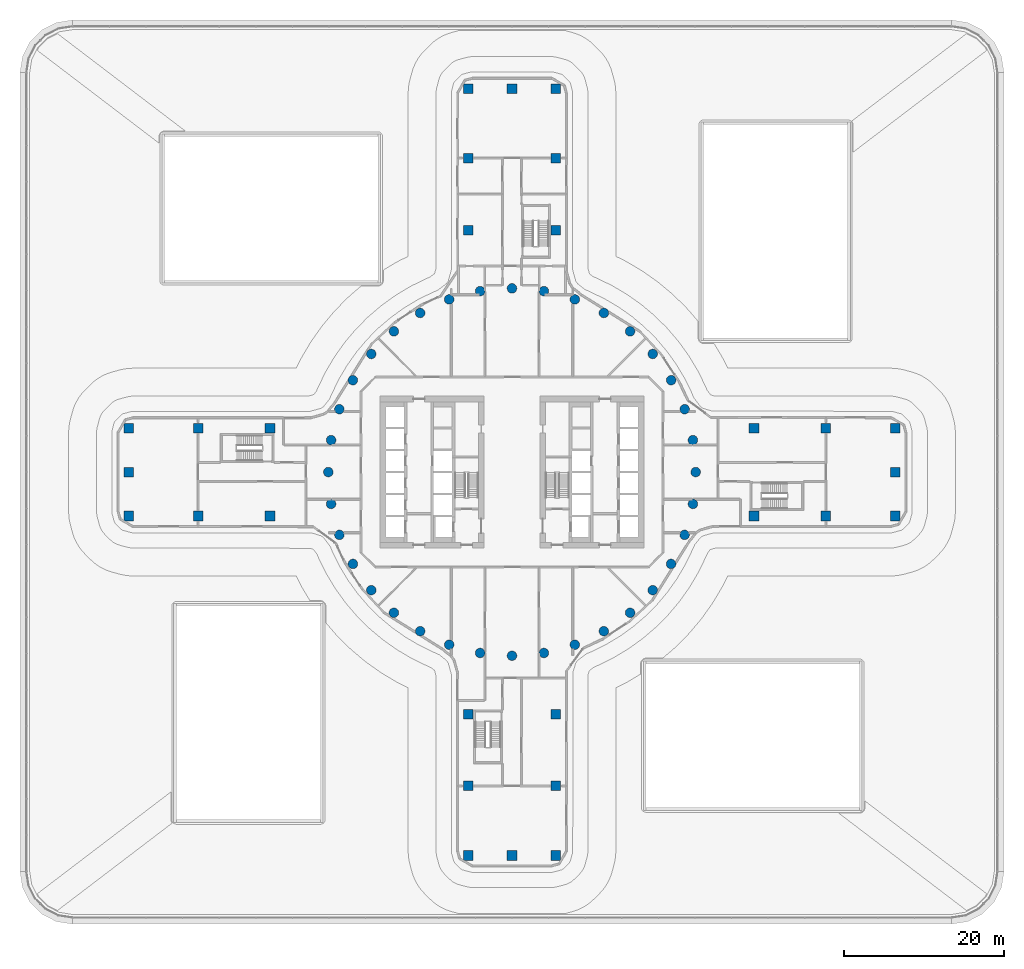
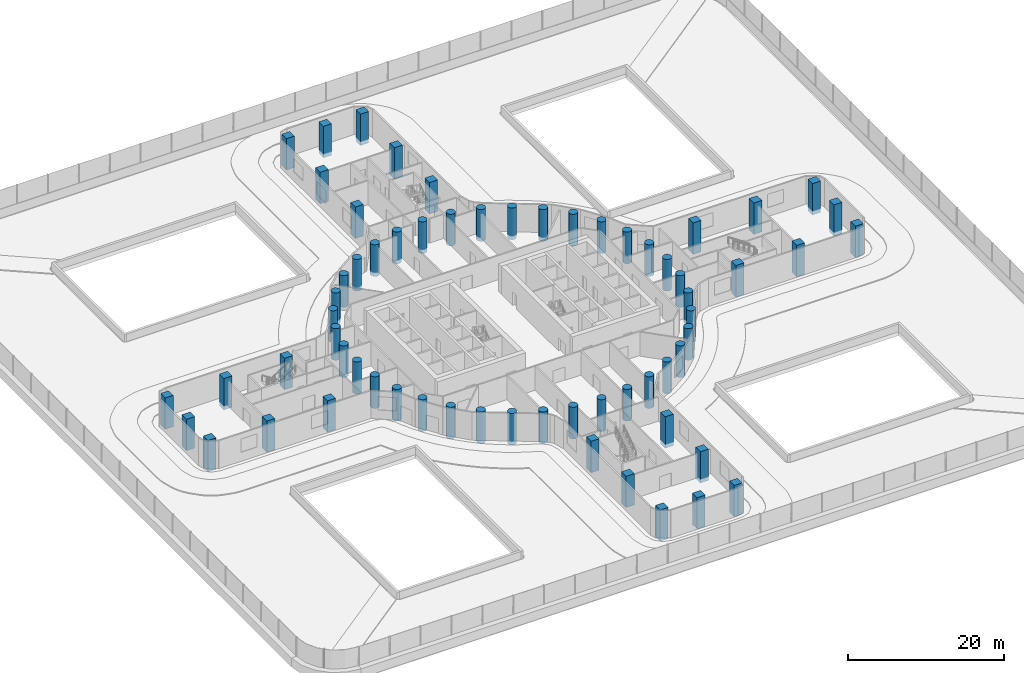
# One storey, part 1 of 37: 64 columns.
"""IFC4 building model written with IfcOpenShell, lengths in metres."""

from ifc_helpers import new_model, si_unit, direction, frame, origin, origin_2d, place, context, subcontext, project, spatial, rectangle, circle, extrude, material, material_profile, profile_set, type_object, element, save


model = new_model("IFC4")

# Units and contexts
model_context = context("Model", 3, precision=1e-05, world=origin(), true_north=direction((0.0, 1.0)))
body_context = subcontext(model_context, "Body", "Model", "MODEL_VIEW")
ifc_project = project(units=[si_unit("LENGTHUNIT", "METRE"), si_unit("AREAUNIT", "SQUARE_METRE"), si_unit("VOLUMEUNIT", "CUBIC_METRE"), si_unit("PLANEANGLEUNIT", "RADIAN"), si_unit("MASSUNIT", "GRAM", prefix="KILO")], contexts=[model_context])

# Site, building, storey
site_placement = place(None, origin())
site = spatial("IfcSite", under=ifc_project, at=site_placement, CompositionType="ELEMENT")
building_placement = place(site_placement, origin())
building = spatial("IfcBuilding", under=site, at=building_placement, Name="Tamarind Cross Interchange Tower", CompositionType="ELEMENT")
storey_placement = place(building_placement, frame((0.0, 0.0, 29.5)))
storey = spatial("IfcBuildingStorey", under=building, at=storey_placement, Name="L05", CompositionType="ELEMENT", Elevation=29.5)

# Columns
ifc_material = material(Name="Concrete C70", Category="concrete")
ifc_material_profile_1 = material_profile(ifc_material, rectangle(XDim=1.199951171875, YDim=1.199951171875, at=origin_2d()), Name="RC 1200x1200")
ifc_profile_set_1 = profile_set([ifc_material_profile_1], Name="Concrete C70")
column_type_1 = type_object("IfcColumnType", Name="Column RC 1200x1200 Concrete C70", PredefinedType="COLUMN", material=ifc_profile_set_1)
column_1_placement = place(storey_placement, frame((39.300048828125, 5.5, -0.60009765625), z_axis=(0.0, 0.0, 1.0), x_axis=(1.0, 0.0, 0.0)))
element("IfcColumn", 1, at=column_1_placement, inside=storey, type_object=column_type_1, Name="Column E.ep0", PredefinedType="COLUMN", context=body_context, shape_type="SweptSolid", body=[
    extrude(rectangle(XDim=1.199951171875, YDim=1.199951171875, at=origin_2d()), origin(), (0.0, 0.0, 1.0), 4.92578125),
])
column_2_placement = place(storey_placement, frame((39.300048828125, -5.5, -0.60009765625), z_axis=(0.0, 0.0, 1.0), x_axis=(1.0, 0.0, 0.0)))
element("IfcColumn", 2, at=column_2_placement, inside=storey, type_object=column_type_1, Name="Column E.em0", PredefinedType="COLUMN", context=body_context, shape_type="SweptSolid", body=[
    extrude(rectangle(XDim=1.199951171875, YDim=1.199951171875, at=origin_2d()), origin(), (0.0, 0.0, 1.0), 4.926025390625),
])
for number, where, z_axis, x_axis, name in (
    (3, (30.300048828125, 5.5, -0.60009765625), (0.0, 0.0, 1.0), (1.0, 0.0, 0.0), "Column E.ep1"),
    (4, (30.300048828125, -5.5, -0.60009765625), (0.0, 0.0, 1.0), (1.0, 0.0, 0.0), "Column E.em1"),
):
    element("IfcColumn", number, at=place(storey_placement, frame(where, z_axis=z_axis, x_axis=x_axis)), inside=storey, type_object=column_type_1, Name=name, PredefinedType="COLUMN", context=body_context, shape_type="SweptSolid", body=[
        extrude(rectangle(XDim=1.199951171875, YDim=1.199951171875, at=origin_2d()), origin(), (0.0, 0.0, 1.0), 4.93896484375),
    ])
column_3_placement = place(storey_placement, frame((48.007568359375, -5.5, -0.60009765625), z_axis=(0.0, 0.0, 1.0), x_axis=(1.0, 0.0, 0.0)))
element("IfcColumn", 5, at=column_3_placement, inside=storey, type_object=column_type_1, Name="Column E.t0", PredefinedType="COLUMN", context=body_context, shape_type="SweptSolid", body=[
    extrude(rectangle(XDim=1.199951171875, YDim=1.199951171875, at=origin_2d()), origin(), (0.0, 0.0, 1.0), 4.91796875),
])
column_4_placement = place(storey_placement, frame((48.007568359375, 0.0, -0.60009765625), z_axis=(0.0, 0.0, 1.0), x_axis=(1.0, 0.0, 0.0)))
element("IfcColumn", 6, at=column_4_placement, inside=storey, type_object=column_type_1, Name="Column E.t1", PredefinedType="COLUMN", context=body_context, shape_type="SweptSolid", body=[
    extrude(rectangle(XDim=1.199951171875, YDim=1.199951171875, at=origin_2d()), origin(), (0.0, 0.0, 1.0), 4.916748046875),
])
column_5_placement = place(storey_placement, frame((48.007568359375, 5.5, -0.60009765625), z_axis=(0.0, 0.0, 1.0), x_axis=(1.0, 0.0, 0.0)))
element("IfcColumn", 7, at=column_5_placement, inside=storey, type_object=column_type_1, Name="Column E.t2", PredefinedType="COLUMN", context=body_context, shape_type="SweptSolid", body=[
    extrude(rectangle(XDim=1.199951171875, YDim=1.199951171875, at=origin_2d()), origin(), (0.0, 0.0, 1.0), 4.90869140625),
])
column_6_placement = place(storey_placement, frame((-5.5, 39.300048828125, -0.60009765625), z_axis=(0.0, 0.0, 1.0), x_axis=(1.0, 0.0, 0.0)))
element("IfcColumn", 8, at=column_6_placement, inside=storey, type_object=column_type_1, Name="Column N.ep0", PredefinedType="COLUMN", context=body_context, shape_type="SweptSolid", body=[
    extrude(rectangle(XDim=1.199951171875, YDim=1.199951171875, at=origin_2d()), origin(), (0.0, 0.0, 1.0), 4.92578125),
])
column_7_placement = place(storey_placement, frame((5.5, 39.300048828125, -0.60009765625), z_axis=(0.0, 0.0, 1.0), x_axis=(1.0, 0.0, 0.0)))
element("IfcColumn", 9, at=column_7_placement, inside=storey, type_object=column_type_1, Name="Column N.em0", PredefinedType="COLUMN", context=body_context, shape_type="SweptSolid", body=[
    extrude(rectangle(XDim=1.199951171875, YDim=1.199951171875, at=origin_2d()), origin(), (0.0, 0.0, 1.0), 4.926025390625),
])
for number, where, z_axis, x_axis, name in (
    (10, (-5.5, 30.300048828125, -0.60009765625), (0.0, 0.0, 1.0), (1.0, 0.0, 0.0), "Column N.ep1"),
    (11, (5.5, 30.300048828125, -0.60009765625), (0.0, 0.0, 1.0), (1.0, 0.0, 0.0), "Column N.em1"),
):
    element("IfcColumn", number, at=place(storey_placement, frame(where, z_axis=z_axis, x_axis=x_axis)), inside=storey, type_object=column_type_1, Name=name, PredefinedType="COLUMN", context=body_context, shape_type="SweptSolid", body=[
        extrude(rectangle(XDim=1.199951171875, YDim=1.199951171875, at=origin_2d()), origin(), (0.0, 0.0, 1.0), 4.93896484375),
    ])
column_8_placement = place(storey_placement, frame((5.5, 48.007568359375, -0.60009765625), z_axis=(0.0, 0.0, 1.0), x_axis=(1.0, 0.0, 0.0)))
element("IfcColumn", 12, at=column_8_placement, inside=storey, type_object=column_type_1, Name="Column N.t0", PredefinedType="COLUMN", context=body_context, shape_type="SweptSolid", body=[
    extrude(rectangle(XDim=1.199951171875, YDim=1.199951171875, at=origin_2d()), origin(), (0.0, 0.0, 1.0), 4.91796875),
])
column_9_placement = place(storey_placement, frame((0.0, 48.007568359375, -0.60009765625), z_axis=(0.0, 0.0, 1.0), x_axis=(1.0, 0.0, 0.0)))
element("IfcColumn", 13, at=column_9_placement, inside=storey, type_object=column_type_1, Name="Column N.t1", PredefinedType="COLUMN", context=body_context, shape_type="SweptSolid", body=[
    extrude(rectangle(XDim=1.199951171875, YDim=1.199951171875, at=origin_2d()), origin(), (0.0, 0.0, 1.0), 4.916748046875),
])
column_10_placement = place(storey_placement, frame((-5.5, 48.007568359375, -0.60009765625), z_axis=(0.0, 0.0, 1.0), x_axis=(1.0, 0.0, 0.0)))
element("IfcColumn", 14, at=column_10_placement, inside=storey, type_object=column_type_1, Name="Column N.t2", PredefinedType="COLUMN", context=body_context, shape_type="SweptSolid", body=[
    extrude(rectangle(XDim=1.199951171875, YDim=1.199951171875, at=origin_2d()), origin(), (0.0, 0.0, 1.0), 4.90869140625),
])
column_11_placement = place(storey_placement, frame((-39.300048828125, -5.5, -0.60009765625), z_axis=(0.0, 0.0, 1.0), x_axis=(1.0, 0.0, 0.0)))
element("IfcColumn", 15, at=column_11_placement, inside=storey, type_object=column_type_1, Name="Column W.ep0", PredefinedType="COLUMN", context=body_context, shape_type="SweptSolid", body=[
    extrude(rectangle(XDim=1.199951171875, YDim=1.199951171875, at=origin_2d()), origin(), (0.0, 0.0, 1.0), 4.92578125),
])
column_12_placement = place(storey_placement, frame((-39.300048828125, 5.5, -0.60009765625), z_axis=(0.0, 0.0, 1.0), x_axis=(1.0, 0.0, 0.0)))
element("IfcColumn", 16, at=column_12_placement, inside=storey, type_object=column_type_1, Name="Column W.em0", PredefinedType="COLUMN", context=body_context, shape_type="SweptSolid", body=[
    extrude(rectangle(XDim=1.199951171875, YDim=1.199951171875, at=origin_2d()), origin(), (0.0, 0.0, 1.0), 4.926025390625),
])
for number, where, z_axis, x_axis, name in (
    (17, (-30.300048828125, -5.5, -0.60009765625), (0.0, 0.0, 1.0), (1.0, 0.0, 0.0), "Column W.ep1"),
    (18, (-30.300048828125, 5.5, -0.60009765625), (0.0, 0.0, 1.0), (1.0, 0.0, 0.0), "Column W.em1"),
):
    element("IfcColumn", number, at=place(storey_placement, frame(where, z_axis=z_axis, x_axis=x_axis)), inside=storey, type_object=column_type_1, Name=name, PredefinedType="COLUMN", context=body_context, shape_type="SweptSolid", body=[
        extrude(rectangle(XDim=1.199951171875, YDim=1.199951171875, at=origin_2d()), origin(), (0.0, 0.0, 1.0), 4.93896484375),
    ])
column_13_placement = place(storey_placement, frame((-48.007568359375, 5.5, -0.60009765625), z_axis=(0.0, 0.0, 1.0), x_axis=(1.0, 0.0, 0.0)))
element("IfcColumn", 19, at=column_13_placement, inside=storey, type_object=column_type_1, Name="Column W.t0", PredefinedType="COLUMN", context=body_context, shape_type="SweptSolid", body=[
    extrude(rectangle(XDim=1.199951171875, YDim=1.199951171875, at=origin_2d()), origin(), (0.0, 0.0, 1.0), 4.91796875),
])
column_14_placement = place(storey_placement, frame((-48.007568359375, 0.0, -0.60009765625), z_axis=(0.0, 0.0, 1.0), x_axis=(1.0, 0.0, 0.0)))
element("IfcColumn", 20, at=column_14_placement, inside=storey, type_object=column_type_1, Name="Column W.t1", PredefinedType="COLUMN", context=body_context, shape_type="SweptSolid", body=[
    extrude(rectangle(XDim=1.199951171875, YDim=1.199951171875, at=origin_2d()), origin(), (0.0, 0.0, 1.0), 4.916748046875),
])
column_15_placement = place(storey_placement, frame((-48.007568359375, -5.5, -0.60009765625), z_axis=(0.0, 0.0, 1.0), x_axis=(1.0, 0.0, 0.0)))
element("IfcColumn", 21, at=column_15_placement, inside=storey, type_object=column_type_1, Name="Column W.t2", PredefinedType="COLUMN", context=body_context, shape_type="SweptSolid", body=[
    extrude(rectangle(XDim=1.199951171875, YDim=1.199951171875, at=origin_2d()), origin(), (0.0, 0.0, 1.0), 4.90869140625),
])
column_16_placement = place(storey_placement, frame((5.5, -39.300048828125, -0.60009765625), z_axis=(0.0, 0.0, 1.0), x_axis=(1.0, 0.0, 0.0)))
element("IfcColumn", 22, at=column_16_placement, inside=storey, type_object=column_type_1, Name="Column S.ep0", PredefinedType="COLUMN", context=body_context, shape_type="SweptSolid", body=[
    extrude(rectangle(XDim=1.199951171875, YDim=1.199951171875, at=origin_2d()), origin(), (0.0, 0.0, 1.0), 4.92578125),
])
column_17_placement = place(storey_placement, frame((-5.5, -39.300048828125, -0.60009765625), z_axis=(0.0, 0.0, 1.0), x_axis=(1.0, 0.0, 0.0)))
element("IfcColumn", 23, at=column_17_placement, inside=storey, type_object=column_type_1, Name="Column S.em0", PredefinedType="COLUMN", context=body_context, shape_type="SweptSolid", body=[
    extrude(rectangle(XDim=1.199951171875, YDim=1.199951171875, at=origin_2d()), origin(), (0.0, 0.0, 1.0), 4.926025390625),
])
for number, where, z_axis, x_axis, name in (
    (24, (5.5, -30.300048828125, -0.60009765625), (0.0, 0.0, 1.0), (1.0, 0.0, 0.0), "Column S.ep1"),
    (25, (-5.5, -30.300048828125, -0.60009765625), (0.0, 0.0, 1.0), (1.0, 0.0, 0.0), "Column S.em1"),
):
    element("IfcColumn", number, at=place(storey_placement, frame(where, z_axis=z_axis, x_axis=x_axis)), inside=storey, type_object=column_type_1, Name=name, PredefinedType="COLUMN", context=body_context, shape_type="SweptSolid", body=[
        extrude(rectangle(XDim=1.199951171875, YDim=1.199951171875, at=origin_2d()), origin(), (0.0, 0.0, 1.0), 4.93896484375),
    ])
column_18_placement = place(storey_placement, frame((-5.5, -48.007568359375, -0.60009765625), z_axis=(0.0, 0.0, 1.0), x_axis=(1.0, 0.0, 0.0)))
element("IfcColumn", 26, at=column_18_placement, inside=storey, type_object=column_type_1, Name="Column S.t0", PredefinedType="COLUMN", context=body_context, shape_type="SweptSolid", body=[
    extrude(rectangle(XDim=1.199951171875, YDim=1.199951171875, at=origin_2d()), origin(), (0.0, 0.0, 1.0), 4.91796875),
])
column_19_placement = place(storey_placement, frame((0.0, -48.007568359375, -0.60009765625), z_axis=(0.0, 0.0, 1.0), x_axis=(1.0, 0.0, 0.0)))
element("IfcColumn", 27, at=column_19_placement, inside=storey, type_object=column_type_1, Name="Column S.t1", PredefinedType="COLUMN", context=body_context, shape_type="SweptSolid", body=[
    extrude(rectangle(XDim=1.199951171875, YDim=1.199951171875, at=origin_2d()), origin(), (0.0, 0.0, 1.0), 4.916748046875),
])
column_20_placement = place(storey_placement, frame((5.5, -48.007568359375, -0.60009765625), z_axis=(0.0, 0.0, 1.0), x_axis=(1.0, 0.0, 0.0)))
element("IfcColumn", 28, at=column_20_placement, inside=storey, type_object=column_type_1, Name="Column S.t2", PredefinedType="COLUMN", context=body_context, shape_type="SweptSolid", body=[
    extrude(rectangle(XDim=1.199951171875, YDim=1.199951171875, at=origin_2d()), origin(), (0.0, 0.0, 1.0), 4.90869140625),
])
ifc_material_profile_2 = material_profile(ifc_material, circle(Radius=0.60009765625, at=origin_2d()), Name="RC D1200")
ifc_profile_set_2 = profile_set([ifc_material_profile_2], Name="Concrete C70")
column_type_2 = type_object("IfcColumnType", Name="Column RC D1200 Concrete C70", PredefinedType="COLUMN", material=ifc_profile_set_2)
for number, where, z_axis, x_axis, name in (
    (29, (23.0, 0.0, -0.60009765625), (0.0, 0.0, 1.0), (1.0, 0.0, 0.0), "Column L05-00"),
    (30, (22.650634765625, 3.993896484375, -0.60009765625), (0.0, 0.0, 1.0), (1.0, 0.0, 0.0), "Column L05-01"),
    (31, (21.613037109375, 7.866455078125, -0.60009765625), (0.0, 0.0, 1.0), (1.0, 0.0, 0.0), "Column L05-02"),
    (32, (19.918701171875, 11.5, -0.60009765625), (0.0, 0.0, 1.0), (1.0, 0.0, 0.0), "Column L05-03"),
    (33, (17.619140625, 14.7841796875, -0.60009765625), (0.0, 0.0, 1.0), (1.0, 0.0, 0.0), "Column L05-04"),
    (34, (14.7841796875, 17.619140625, -0.60009765625), (0.0, 0.0, 1.0), (1.0, 0.0, 0.0), "Column L05-05"),
    (35, (11.5, 19.918701171875, -0.60009765625), (0.0, 0.0, 1.0), (1.0, 0.0, 0.0), "Column L05-06"),
    (36, (7.866455078125, 21.613037109375, -0.60009765625), (0.0, 0.0, 1.0), (1.0, 0.0, 0.0), "Column L05-07"),
    (37, (3.993896484375, 22.650634765625, -0.60009765625), (0.0, 0.0, 1.0), (1.0, 0.0, 0.0), "Column L05-08"),
    (38, (0.0, 23.0, -0.60009765625), (0.0, 0.0, 1.0), (1.0, 0.0, 0.0), "Column L05-09"),
    (39, (-3.993896484375, 22.650634765625, -0.60009765625), (0.0, 0.0, 1.0), (1.0, 0.0, 0.0), "Column L05-10"),
    (40, (-7.866455078125, 21.613037109375, -0.60009765625), (0.0, 0.0, 1.0), (1.0, 0.0, 0.0), "Column L05-11"),
    (41, (-11.5, 19.918701171875, -0.60009765625), (0.0, 0.0, 1.0), (1.0, 0.0, 0.0), "Column L05-12"),
    (42, (-14.7841796875, 17.619140625, -0.60009765625), (0.0, 0.0, 1.0), (1.0, 0.0, 0.0), "Column L05-13"),
    (43, (-17.619140625, 14.7841796875, -0.60009765625), (0.0, 0.0, 1.0), (1.0, 0.0, 0.0), "Column L05-14"),
    (44, (-19.918701171875, 11.5, -0.60009765625), (0.0, 0.0, 1.0), (1.0, 0.0, 0.0), "Column L05-15"),
    (45, (-21.613037109375, 7.866455078125, -0.60009765625), (0.0, 0.0, 1.0), (1.0, 0.0, 0.0), "Column L05-16"),
    (46, (-22.650634765625, 3.993896484375, -0.60009765625), (0.0, 0.0, 1.0), (1.0, 0.0, 0.0), "Column L05-17"),
    (47, (-23.0, 0.0, -0.60009765625), (0.0, 0.0, 1.0), (1.0, 0.0, 0.0), "Column L05-18"),
    (48, (-22.650634765625, -3.993896484375, -0.60009765625), (0.0, 0.0, 1.0), (1.0, 0.0, 0.0), "Column L05-19"),
    (49, (-21.613037109375, -7.866455078125, -0.60009765625), (0.0, 0.0, 1.0), (1.0, 0.0, 0.0), "Column L05-20"),
    (50, (-19.918701171875, -11.5, -0.60009765625), (0.0, 0.0, 1.0), (1.0, 0.0, 0.0), "Column L05-21"),
    (51, (-17.619140625, -14.7841796875, -0.60009765625), (0.0, 0.0, 1.0), (1.0, 0.0, 0.0), "Column L05-22"),
    (52, (-14.7841796875, -17.619140625, -0.60009765625), (0.0, 0.0, 1.0), (1.0, 0.0, 0.0), "Column L05-23"),
    (53, (-11.5, -19.918701171875, -0.60009765625), (0.0, 0.0, 1.0), (1.0, 0.0, 0.0), "Column L05-24"),
    (54, (-7.866455078125, -21.613037109375, -0.60009765625), (0.0, 0.0, 1.0), (1.0, 0.0, 0.0), "Column L05-25"),
    (55, (-3.993896484375, -22.650634765625, -0.60009765625), (0.0, 0.0, 1.0), (1.0, 0.0, 0.0), "Column L05-26"),
    (56, (0.0, -23.0, -0.60009765625), (0.0, 0.0, 1.0), (1.0, 0.0, 0.0), "Column L05-27"),
    (57, (3.993896484375, -22.650634765625, -0.60009765625), (0.0, 0.0, 1.0), (1.0, 0.0, 0.0), "Column L05-28"),
    (58, (7.866455078125, -21.613037109375, -0.60009765625), (0.0, 0.0, 1.0), (1.0, 0.0, 0.0), "Column L05-29"),
    (59, (11.5, -19.918701171875, -0.60009765625), (0.0, 0.0, 1.0), (1.0, 0.0, 0.0), "Column L05-30"),
    (60, (14.7841796875, -17.619140625, -0.60009765625), (0.0, 0.0, 1.0), (1.0, 0.0, 0.0), "Column L05-31"),
    (61, (17.619140625, -14.7841796875, -0.60009765625), (0.0, 0.0, 1.0), (1.0, 0.0, 0.0), "Column L05-32"),
    (62, (19.918701171875, -11.5, -0.60009765625), (0.0, 0.0, 1.0), (1.0, 0.0, 0.0), "Column L05-33"),
    (63, (21.613037109375, -7.866455078125, -0.60009765625), (0.0, 0.0, 1.0), (1.0, 0.0, 0.0), "Column L05-34"),
    (64, (22.650634765625, -3.993896484375, -0.60009765625), (0.0, 0.0, 1.0), (1.0, 0.0, 0.0), "Column L05-35"),
):
    element("IfcColumn", number, at=place(storey_placement, frame(where, z_axis=z_axis, x_axis=x_axis)), inside=storey, type_object=column_type_2, Name=name, PredefinedType="COLUMN", context=body_context, shape_type="SweptSolid", body=[
        extrude(circle(Radius=0.60009765625, at=origin_2d()), origin(), (0.0, 0.0, 1.0), 4.960205078125),
    ])

save(model, "model.ifc")
